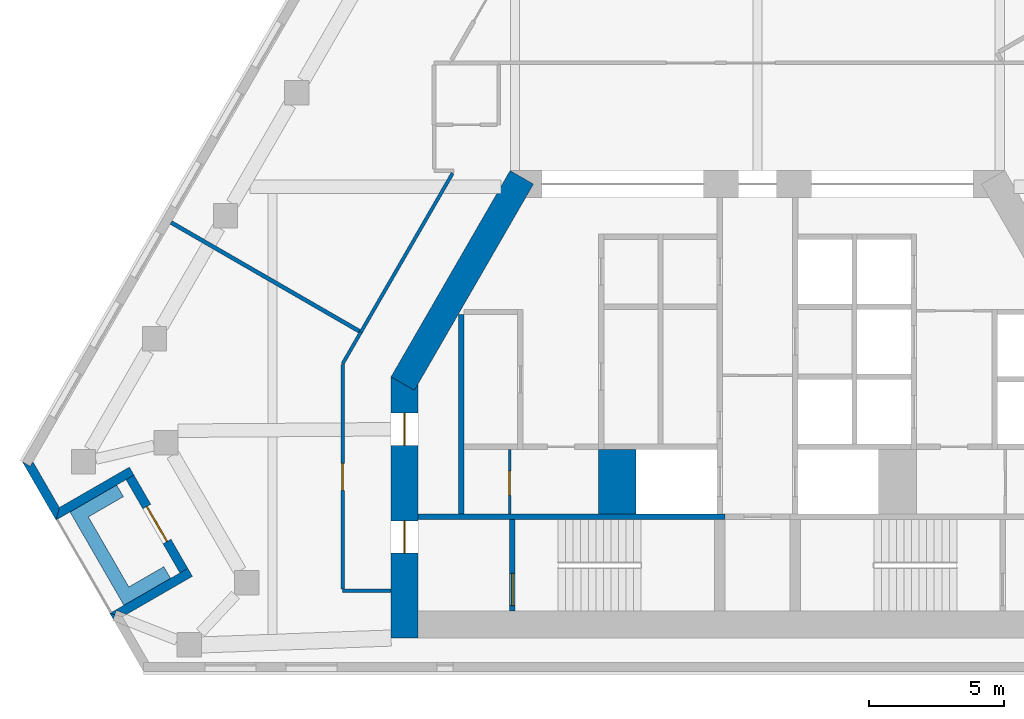
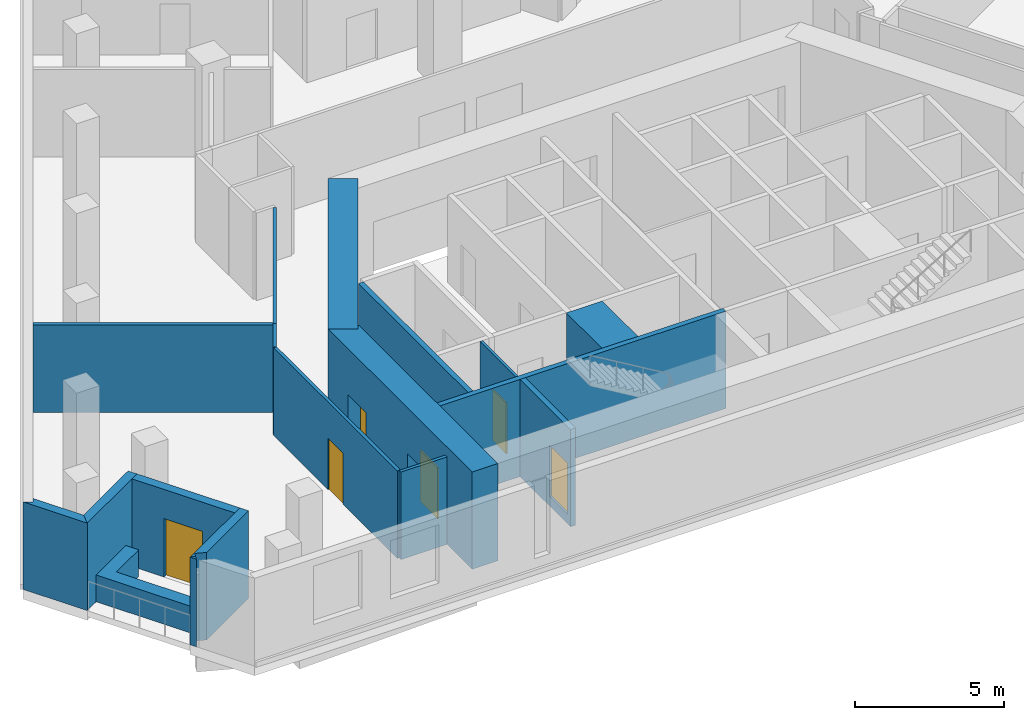
# One storey, part 3 of 9: 18 walls, 6 doors, 6 openings.
"""IFC4 building model written with IfcOpenShell, lengths in metres."""

from ifc_helpers import new_model, si_unit, direction, frame, frame_2d, origin, place, context, subcontext, project, spatial, polyline, rectangle, outline, extrude, material, layer, layer_set, type_object, element, fill, save


model = new_model("IFC4")

# Units and contexts
model_context = context("Model", 3, precision=1e-05, world=origin(), true_north=direction((0.0, 1.0)))
body_context = subcontext(model_context, "Body", "Model", "MODEL_VIEW")
ifc_project = project(units=[si_unit("LENGTHUNIT", "METRE"), si_unit("AREAUNIT", "SQUARE_METRE"), si_unit("VOLUMEUNIT", "CUBIC_METRE"), si_unit("PLANEANGLEUNIT", "RADIAN"), si_unit("MASSUNIT", "GRAM", prefix="KILO")], contexts=[model_context])

# Site, building, storey
site_placement = place(None, origin())
site = spatial("IfcSite", under=ifc_project, at=site_placement, CompositionType="ELEMENT")
building_placement = place(site_placement, origin())
building = spatial("IfcBuilding", under=site, at=building_placement, Name="Fogline Exchange Tower", CompositionType="ELEMENT")
storey_placement = place(building_placement, frame((0.0, 0.0, 206.10009765625)))
storey = spatial("IfcBuildingStorey", under=building, at=storey_placement, Name="L46", CompositionType="ELEMENT", Elevation=206.10009765625)

# Wall, opening, door
ifc_material_1 = material(Name="Blockwork partition", Category="masonry")
ifc_layer_1 = layer(ifc_material_1, 0.10009765625)
ifc_layer_set_1 = layer_set([ifc_layer_1], Name="CW10")
wall_type_1 = type_object("IfcWallType", Name="CW10", PredefinedType="PARTITIONING", material=ifc_layer_set_1)
wall_1_placement = place(storey_placement, frame((-9.199951171875, 5.85009765625, 0.0), z_axis=(0.0, 0.0, 1.0), x_axis=(0.0, 1.0, 0.0)))
wall_1 = element("IfcWall", 1, at=wall_1_placement, inside=storey, type_object=wall_type_1, Name="WC partition", PredefinedType="PARTITIONING", context=body_context, shape_type="SweptSolid", body=[
    extrude(rectangle(XDim=2.39990234375, YDim=0.10009765625, at=frame_2d((1.199951171875, 0.0))), origin(), (0.0, 0.0, 1.0), 3.599853515625),
])
opening_1_placement = place(wall_1_placement, frame((0.699951171875, 0.0, 0.0)))
opening_1 = element("IfcOpeningElement", 2, at=opening_1_placement, cuts=wall_1, Name="Opening T15-C009", PredefinedType="OPENING", context=body_context, shape_type="SweptSolid", body=[
    extrude(rectangle(XDim=0.89990234375, YDim=2.10009765625, at=frame_2d((0.449951171875, 1.050048828125))), frame((0.0, 0.06005859375, 0.0), z_axis=(0.0, -1.0, 0.0), x_axis=(1.0, 0.0, 0.0)), (0.0, 0.0, 1.0), 0.1201171875),
])
ifc_material_2 = material(Name="Steel and timber fire door", Category="steel")
door_type_1 = type_object("IfcDoorType", Name="D-CS1", OperationType="SINGLE_SWING_RIGHT", PredefinedType="DOOR", material=ifc_material_2)
door_1_placement = place(opening_1_placement, origin())
door_1 = element("IfcDoor", 3, at=door_1_placement, inside=storey, type_object=door_type_1, Name="Door to Cleaner's Store", OperationType="SINGLE_SWING_LEFT", OverallHeight=2.10009765625, OverallWidth=0.89990234375, PredefinedType="DOOR", context=body_context, shape_type="SweptSolid", body=[
    extrude(rectangle(XDim=0.89990234375, YDim=2.10009765625, at=frame_2d((0.449951171875, 1.050048828125))), frame((0.0, 0.02490234375, 0.0), z_axis=(0.0, -1.0, 0.0), x_axis=(1.0, 0.0, 0.0)), (0.0, 0.0, 1.0), 0.050048828125),
])
fill(opening_1, door_1)

# Walls
ifc_material_3 = material(Name="Concrete C60", Category="concrete")
ifc_layer_2 = layer(ifc_material_3, 1.39990234375)
ifc_layer_set_2 = layer_set([ifc_layer_2], Name="CW140")
wall_type_2 = type_object("IfcWallType", Name="CW140", PredefinedType="SOLIDWALL", material=ifc_layer_set_2)
wall_2_placement = place(storey_placement, frame((-5.199951171875, 5.85009765625, -0.400146484375), z_axis=(0.0, 0.0, 1.0), x_axis=(0.0, 1.0, 0.0)))
element("IfcWall", 4, at=wall_2_placement, inside=storey, type_object=wall_type_2, Name="Lift shaft block wall", PredefinedType="SOLIDWALL", context=body_context, shape_type="SweptSolid", body=[
    extrude(rectangle(XDim=2.39990234375, YDim=1.39990234375, at=frame_2d((1.199951171875, 0.0))), origin(), (0.0, 0.0, 1.0), 4.0),
])
ifc_material_4 = material(Name="Concrete C40", Category="concrete")
ifc_layer_3 = layer(ifc_material_4, 0.199951171875)
ifc_layer_set_3 = layer_set([ifc_layer_3], Name="CW20")
wall_type_3 = type_object("IfcWallType", Name="CW20", PredefinedType="SOLIDWALL", material=ifc_layer_set_3)
wall_3_placement = place(storey_placement, frame((-11.0, 5.85009765625, 0.0), z_axis=(0.0, 0.0, 1.0), x_axis=(0.0, 1.0, 0.0)))
element("IfcWall", 5, at=wall_3_placement, inside=storey, type_object=wall_type_3, Name="Service room wall", PredefinedType="SOLIDWALL", context=body_context, shape_type="SweptSolid", body=[
    extrude(rectangle(XDim=7.39990234375, YDim=0.199951171875, at=frame_2d((3.699951171875, 0.0))), origin(), (0.0, 0.0, 1.0), 3.599853515625),
])
ifc_layer_4 = layer(ifc_material_4, 0.199951171875)
ifc_layer_set_4 = layer_set([ifc_layer_4], Name="CW20R")
wall_type_4 = type_object("IfcWallType", Name="CW20R", PredefinedType="SOLIDWALL", material=ifc_layer_set_4)
wall_4_placement = place(storey_placement, frame((-12.60009765625, 5.75, -0.400146484375), z_axis=(0.0, 0.0, 1.0), x_axis=(1.0, 0.0, 0.0)))
element("IfcWall", 6, at=wall_4_placement, inside=storey, type_object=wall_type_4, Name="Stair enclosure wall", PredefinedType="SOLIDWALL", context=body_context, shape_type="SweptSolid", body=[
    extrude(rectangle(XDim=11.400146484375, YDim=0.199951171875, at=frame_2d((5.7001953125, 0.0))), origin(), (0.0, 0.0, 1.0), 4.0),
])

# Wall, opening, door
wall_5_placement = place(storey_placement, frame((-9.10009765625, 2.25, -0.400146484375), z_axis=(0.0, 0.0, 1.0), x_axis=(0.0, 1.0, 0.0)))
wall_5 = element("IfcWall", 7, at=wall_5_placement, inside=storey, type_object=wall_type_4, Name="Stair enclosure wall", PredefinedType="SOLIDWALL", context=body_context, shape_type="SweptSolid", body=[
    extrude(rectangle(XDim=3.39990234375, YDim=0.199951171875, at=frame_2d((1.699951171875, 0.0))), origin(), (0.0, 0.0, 1.0), 4.0),
])
opening_2_placement = place(wall_5_placement, frame((0.199951171875, 0.0, 0.39990234375)))
opening_2 = element("IfcOpeningElement", 8, at=opening_2_placement, cuts=wall_5, Name="Opening T15-C011", PredefinedType="OPENING", context=body_context, shape_type="SweptSolid", body=[
    extrude(rectangle(XDim=1.199951171875, YDim=2.10009765625, at=frame_2d((0.60009765625, 1.050048828125))), frame((0.0, 0.10986328125, 0.0), z_axis=(0.0, -1.0, 0.0), x_axis=(1.0, 0.0, 0.0)), (0.0, 0.0, 1.0), 0.219970703125),
])
door_type_2 = type_object("IfcDoorType", Name="D-ST1", OperationType="SINGLE_SWING_LEFT", PredefinedType="DOOR", material=ifc_material_2)
door_2_placement = place(opening_2_placement, frame((1.199951171875, 0.0, 0.0), z_axis=(0.0, 0.0, 1.0), x_axis=(-1.0, 0.0, 0.0)))
door_2 = element("IfcDoor", 9, at=door_2_placement, inside=storey, type_object=door_type_2, Name="Stair door ST1", OperationType="SINGLE_SWING_RIGHT", OverallHeight=2.10009765625, OverallWidth=1.199951171875, PredefinedType="DOOR", context=body_context, shape_type="SweptSolid", body=[
    extrude(rectangle(XDim=1.199951171875, YDim=2.10009765625, at=frame_2d((0.60009765625, 1.050048828125))), frame((0.0, 0.02490234375, 0.0), z_axis=(0.0, -1.0, 0.0), x_axis=(1.0, 0.0, 0.0)), (0.0, 0.0, 1.0), 0.050048828125),
])
fill(opening_2, door_2)

# Walls
ifc_material_5 = material(Name="Brick masonry", Category="masonry")
ifc_layer_5 = layer(ifc_material_5, 0.340087890625)
ifc_layer_set_5 = layer_set([ifc_layer_5], Name="FW1")
wall_type_5 = type_object("IfcWallType", Name="FW1", PredefinedType="SOLIDWALL", material=ifc_layer_set_5)
wall_6_placement = place(storey_placement, origin())
element("IfcWall", 10, at=wall_6_placement, inside=storey, type_object=wall_type_5, Name="Brick wall L46 SW-c1", PredefinedType="SOLIDWALL", context=body_context, shape_type="SweptSolid", body=[
    extrude(outline(polyline([(-26.03662109375, 5.6279296875), (-27.28759765625, 7.794921875), (-27.287109375, 7.79541015625), (-26.9921875, 7.625), (-26.89404296875, 7.79541015625), (-25.911376953125, 6.09375), (-26.0361328125, 5.6279296875), (-26.03662109375, 5.6279296875)])), origin(), (0.0, 0.0, 1.0), 3.599853515625),
])
wall_7_placement = place(storey_placement, origin())
element("IfcWall", 11, at=wall_7_placement, inside=storey, type_object=wall_type_5, Name="Brick wall L46 SW-s1", PredefinedType="SOLIDWALL", context=body_context, shape_type="SweptSolid", body=[
    extrude(outline(polyline([(-23.313720703125, 7.594482421875), (-23.14306640625, 7.298828125), (-23.438232421875, 7.128662109375), (-26.037109375, 5.628173828125), (-26.037353515625, 5.62841796875), (-25.91259765625, 6.093994140625), (-23.313720703125, 7.594482421875)])), origin(), (0.0, 0.0, 1.0), 3.599853515625),
])

# Wall, opening, door
wall_8_placement = place(storey_placement, frame((-23.291259765625, 7.214111328125, 0.0), z_axis=(0.0, 0.0, 1.0), x_axis=(0.49999894854, -0.866026010844, 0.0)))
wall_8 = element("IfcWall", 12, at=wall_8_placement, inside=storey, type_object=wall_type_5, Name="Brick wall L46 SW-bk", PredefinedType="SOLIDWALL", context=body_context, shape_type="SweptSolid", body=[
    extrude(rectangle(XDim=4.0, YDim=0.340087890625, at=frame_2d((2.0, 0.0))), origin(), (0.0, 0.0, 1.0), 3.599853515625),
])
opening_3_placement = place(wall_8_placement, frame((1.25, 0.0, 0.0)))
opening_3 = element("IfcOpeningElement", 13, at=opening_3_placement, cuts=wall_8, Name="Opening T15-E021", PredefinedType="OPENING", context=body_context, shape_type="SweptSolid", body=[
    extrude(rectangle(XDim=1.5, YDim=2.39990234375, at=frame_2d((0.75, 1.199951171875))), frame((0.0, 0.18017578125, 0.0), z_axis=(0.0, -1.0, 0.0), x_axis=(1.0, 0.0, 0.0)), (0.0, 0.0, 1.0), 0.360107421875),
])
ifc_material_6 = material(Name="Aluminium and glass", Category="aluminium")
door_type_3 = type_object("IfcDoorType", Name="ED4", OperationType="SINGLE_SWING_LEFT", PredefinedType="DOOR", material=ifc_material_6)
door_3_placement = place(opening_3_placement, frame((1.5, 0.0, 0.0), z_axis=(0.0, 0.0, 1.0), x_axis=(-1.0, 0.0, 0.0)))
door_3 = element("IfcDoor", 14, at=door_3_placement, inside=storey, type_object=door_type_3, Name="Balcony door L46 SW", OperationType="DOUBLE_DOOR_SINGLE_SWING", OverallHeight=2.39990234375, OverallWidth=1.5, PredefinedType="DOOR", context=body_context, shape_type="SweptSolid", body=[
    extrude(rectangle(XDim=1.5, YDim=2.39990234375, at=frame_2d((0.75, 1.199951171875))), frame((0.0, 0.02490234375, 0.0), z_axis=(0.0, -1.0, 0.0), x_axis=(1.0, 0.0, 0.0)), (0.0, 0.0, 1.0), 0.050048828125),
])
fill(opening_3, door_3)

# Walls
wall_9_placement = place(storey_placement, origin())
element("IfcWall", 15, at=wall_9_placement, inside=storey, type_object=wall_type_5, Name="Brick wall L46 SW-s2", PredefinedType="SOLIDWALL", context=body_context, shape_type="SweptSolid", body=[
    extrude(outline(polyline([(-21.438720703125, 3.66552734375), (-21.143798828125, 3.8359375), (-20.97314453125, 3.540283203125), (-23.419677734375, 2.1279296875), (-23.790771484375, 2.2734375), (-23.852783203125, 2.115234375), (-24.03759765625, 2.164794921875), (-24.037841796875, 2.1650390625), (-21.438720703125, 3.66552734375)])), origin(), (0.0, 0.0, 1.0), 3.599853515625),
])
wall_10_placement = place(storey_placement, origin())
element("IfcWall", 16, at=wall_10_placement, inside=storey, type_object=wall_type_5, Name="Brick wall L46 SW-c2", PredefinedType="SOLIDWALL", context=body_context, shape_type="SweptSolid", body=[
    extrude(outline(polyline([(-24.03759765625, 2.165771484375), (-24.037353515625, 2.166015625), (-23.852294921875, 2.116455078125), (-23.915771484375, 1.95458984375), (-24.03759765625, 2.165771484375)])), origin(), (0.0, 0.0, 1.0), 3.599853515625),
])
ifc_material_7 = material(Name="Concrete C30", Category="concrete")
ifc_layer_6 = layer(ifc_material_7, 0.199951171875)
ifc_layer_set_6 = layer_set([ifc_layer_6], Name="PL1")
wall_type_6 = type_object("IfcWallType", Name="PL1", PredefinedType="USERDEFINED", material=ifc_layer_set_6)
wall_11_placement = place(storey_placement, origin())
element("IfcWall", 17, at=wall_11_placement, inside=storey, type_object=wall_type_6, Name="PLANTER balcony L46 SW", ObjectType="PLANTER", PredefinedType="USERDEFINED", context=body_context, shape_type="SweptSolid", body=[
    extrude(outline(polyline([(-22.034912109375, 3.898193359375), (-23.333984375, 3.148193359375), (-24.833984375, 5.74609375), (-23.534912109375, 6.49609375), (-23.784912109375, 6.92919921875), (-25.516845703125, 5.92919921875), (-25.266845703125, 5.49609375), (-23.516845703125, 2.465087890625), (-23.083984375, 2.715087890625), (-23.083984375, 2.715087890625), (-21.784912109375, 3.465087890625), (-22.034912109375, 3.898193359375)])), origin(), (0.0, 0.0, 1.0), 1.099853515625),
])
ifc_material_8 = material(Name="Plasterboard corridor partition with mineral wool, 2 layers each side")
ifc_layer_7 = layer(ifc_material_8, 0.125)
ifc_layer_set_7 = layer_set([ifc_layer_7], Name="PW2")
wall_type_7 = type_object("IfcWallType", Name="PW2", PredefinedType="PARTITIONING", material=ifc_layer_set_7)
wall_12_placement = place(storey_placement, frame((-14.719482421875, 12.606201171875, 0.0), z_axis=(0.0, 0.0, 1.0), x_axis=(0.499982011104, 0.866035789429, 0.0)))
element("IfcWall", 18, at=wall_12_placement, inside=storey, type_object=wall_type_7, Name="wall-L46-W012", PredefinedType="PARTITIONING", context=body_context, shape_type="SweptSolid", body=[
    extrude(rectangle(XDim=6.812255859375, YDim=0.125, at=frame_2d((3.40625, 0.0))), origin(), (0.0, 0.0, 1.0), 3.599853515625),
])
wall_13_placement = place(storey_placement, frame((-13.60009765625, 3.0, 0.0), z_axis=(0.0, 0.0, 1.0), x_axis=(-1.0, 0.0, 0.0)))
element("IfcWall", 19, at=wall_13_placement, inside=storey, type_object=wall_type_7, Name="wall-L46-W013", PredefinedType="PARTITIONING", context=body_context, shape_type="SweptSolid", body=[
    extrude(rectangle(XDim=1.7998046875, YDim=0.125, at=frame_2d((0.89990234375, 0.0))), origin(), (0.0, 0.0, 1.0), 3.599853515625),
])

# Wall, opening, door
wall_14_placement = place(storey_placement, frame((-15.39990234375, 3.0625, 0.0), z_axis=(0.0, 0.0, 1.0), x_axis=(0.0, 1.0, 0.0)))
wall_14 = element("IfcWall", 20, at=wall_14_placement, inside=storey, type_object=wall_type_7, Name="wall-L46-W014", PredefinedType="PARTITIONING", context=body_context, shape_type="SweptSolid", body=[
    extrude(rectangle(XDim=8.334228515625, YDim=0.125, at=frame_2d((4.1669921875, 0.0))), origin(), (0.0, 0.0, 1.0), 3.599853515625),
])
opening_4_placement = place(wall_14_placement, frame((3.6669921875, 0.0, 0.0)))
opening_4 = element("IfcOpeningElement", 21, at=opening_4_placement, cuts=wall_14, Name="Opening T15-D006", PredefinedType="OPENING", context=body_context, shape_type="SweptSolid", body=[
    extrude(rectangle(XDim=1.0, YDim=2.10009765625, at=frame_2d((0.5, 1.050048828125))), frame((0.0, 0.072509765625, 0.0), z_axis=(0.0, -1.0, 0.0), x_axis=(1.0, 0.0, 0.0)), (0.0, 0.0, 1.0), 0.14501953125),
])
ifc_material_9 = material(Name="Fire-rated timber door leaf with steel frame", Category="steel")
door_type_4 = type_object("IfcDoorType", Name="D3", OperationType="SINGLE_SWING_LEFT", PredefinedType="DOOR", material=ifc_material_9)
door_4_placement = place(opening_4_placement, origin())
door_4 = element("IfcDoor", 22, at=door_4_placement, inside=storey, type_object=door_type_4, Name="door-L46-D006", OperationType="SINGLE_SWING_LEFT", OverallHeight=2.10009765625, OverallWidth=1.0, PredefinedType="DOOR", context=body_context, shape_type="SweptSolid", body=[
    extrude(rectangle(XDim=1.0, YDim=2.10009765625, at=frame_2d((0.5, 1.050048828125))), frame((0.0, 0.02490234375, 0.0), z_axis=(0.0, -1.0, 0.0), x_axis=(1.0, 0.0, 0.0)), (0.0, 0.0, 1.0), 0.050048828125),
])
fill(opening_4, door_4)

# Walls
wall_15_placement = place(storey_placement, frame((-15.39990234375, 11.427734375, 0.0), z_axis=(0.0, 0.0, 1.0), x_axis=(0.500017526161, 0.866015284814, 0.0)))
element("IfcWall", 23, at=wall_15_placement, inside=storey, type_object=wall_type_7, Name="wall-L46-W015", PredefinedType="PARTITIONING", context=body_context, shape_type="SweptSolid", body=[
    extrude(rectangle(XDim=1.36083984375, YDim=0.125, at=frame_2d((0.680419921875, 0.0))), origin(), (0.0, 0.0, 1.0), 3.599853515625),
])
ifc_material_10 = material(Name="Plasterboard demising partition with mineral wool and acoustic board")
ifc_layer_8 = layer(ifc_material_10, 0.14990234375)
ifc_layer_set_8 = layer_set([ifc_layer_8], Name="PW3")
wall_type_8 = type_object("IfcWallType", Name="PW3", PredefinedType="PARTITIONING", material=ifc_layer_set_8)
wall_16_placement = place(storey_placement, frame((-14.773681640625, 12.637451171875, 0.0), z_axis=(0.0, 0.0, 1.0), x_axis=(-0.866025976704, 0.499999007672, 0.0)))
element("IfcWall", 24, at=wall_16_placement, inside=storey, type_object=wall_type_8, Name="wall-L46-W045", PredefinedType="PARTITIONING", context=body_context, shape_type="SweptSolid", body=[
    extrude(rectangle(XDim=8.07470703125, YDim=0.14990234375, at=frame_2d((4.037353515625, 0.0))), origin(), (0.0, 0.0, 1.0), 3.599853515625),
])
ifc_layer_9 = layer(ifc_material_3, 1.0)
ifc_layer_set_9 = layer_set([ifc_layer_9], Name="SW03")
wall_type_9 = type_object("IfcWallType", Name="SW03", PredefinedType="SHEAR", material=ifc_layer_set_9)
wall_17_placement = place(storey_placement, frame((-8.74755859375, 18.35009765625, 0.0), z_axis=(0.0, 0.0, 1.0), x_axis=(-0.499995021168, -0.866028278295, 0.0)))
element("IfcWall", 25, at=wall_17_placement, inside=storey, type_object=wall_type_9, Name="L46-W905", PredefinedType="SHEAR", context=body_context, shape_type="SweptSolid", body=[
    extrude(rectangle(XDim=8.8388671875, YDim=1.0, at=frame_2d((4.41943359375, 0.0))), origin(), (0.0, 0.0, 1.0), 4.0),
])

# Wall, openings, doors
wall_18_placement = place(storey_placement, frame((-13.10009765625, 10.9453125, 0.0), z_axis=(0.0, 0.0, 1.0), x_axis=(0.0, -1.0, 0.0)))
wall_18 = element("IfcWall", 26, at=wall_18_placement, inside=storey, type_object=wall_type_9, Name="L46-W906", PredefinedType="SHEAR", context=body_context, shape_type="SweptSolid", body=[
    extrude(rectangle(XDim=9.6953125, YDim=1.0, at=frame_2d((4.84765625, 0.0))), origin(), (0.0, 0.0, 1.0), 4.0),
])
opening_5_placement = place(wall_18_placement, frame((5.345458984375, 0.0, 0.0)))
opening_5 = element("IfcOpeningElement", 27, at=opening_5_placement, cuts=wall_18, Name="Opening T15-C010", PredefinedType="OPENING", context=body_context, shape_type="SweptSolid", body=[
    extrude(rectangle(XDim=1.199951171875, YDim=2.10009765625, at=frame_2d((0.60009765625, 1.050048828125))), frame((0.0, 0.510009765625, 0.0), z_axis=(0.0, -1.0, 0.0), x_axis=(1.0, 0.0, 0.0)), (0.0, 0.0, 1.0), 1.02001953125),
])
opening_6_placement = place(wall_18_placement, frame((1.345458984375, 0.0, 0.0)))
opening_6 = element("IfcOpeningElement", 28, at=opening_6_placement, cuts=wall_18, Name="Opening T15-C012", PredefinedType="OPENING", context=body_context, shape_type="SweptSolid", body=[
    extrude(rectangle(XDim=1.199951171875, YDim=2.10009765625, at=frame_2d((0.60009765625, 1.050048828125))), frame((0.0, 0.510009765625, 0.0), z_axis=(0.0, -1.0, 0.0), x_axis=(1.0, 0.0, 0.0)), (0.0, 0.0, 1.0), 1.02001953125),
])
door_type_5 = type_object("IfcDoorType", Name="D-FR1", OperationType="SINGLE_SWING_RIGHT", PredefinedType="DOOR", material=ifc_material_2)
door_5_placement = place(opening_5_placement, origin())
door_5 = element("IfcDoor", 29, at=door_5_placement, inside=storey, type_object=door_type_5, Name="Front room door ST1", OperationType="SINGLE_SWING_LEFT", OverallHeight=2.10009765625, OverallWidth=1.199951171875, PredefinedType="DOOR", context=body_context, shape_type="SweptSolid", body=[
    extrude(rectangle(XDim=1.199951171875, YDim=2.10009765625, at=frame_2d((0.60009765625, 1.050048828125))), frame((0.0, 0.02490234375, 0.0), z_axis=(0.0, -1.0, 0.0), x_axis=(1.0, 0.0, 0.0)), (0.0, 0.0, 1.0), 0.050048828125),
])
fill(opening_5, door_5)
door_type_6 = type_object("IfcDoorType", Name="D-SV1", OperationType="SINGLE_SWING_LEFT", PredefinedType="DOOR", material=ifc_material_2)
door_6_placement = place(opening_6_placement, origin())
door_6 = element("IfcDoor", 30, at=door_6_placement, inside=storey, type_object=door_type_6, Name="Service door W", OperationType="SINGLE_SWING_LEFT", OverallHeight=2.10009765625, OverallWidth=1.199951171875, PredefinedType="DOOR", context=body_context, shape_type="SweptSolid", body=[
    extrude(rectangle(XDim=1.199951171875, YDim=2.10009765625, at=frame_2d((0.60009765625, 1.050048828125))), frame((0.0, 0.02490234375, 0.0), z_axis=(0.0, -1.0, 0.0), x_axis=(1.0, 0.0, 0.0)), (0.0, 0.0, 1.0), 0.050048828125),
])
fill(opening_6, door_6)

save(model, "model.ifc")
